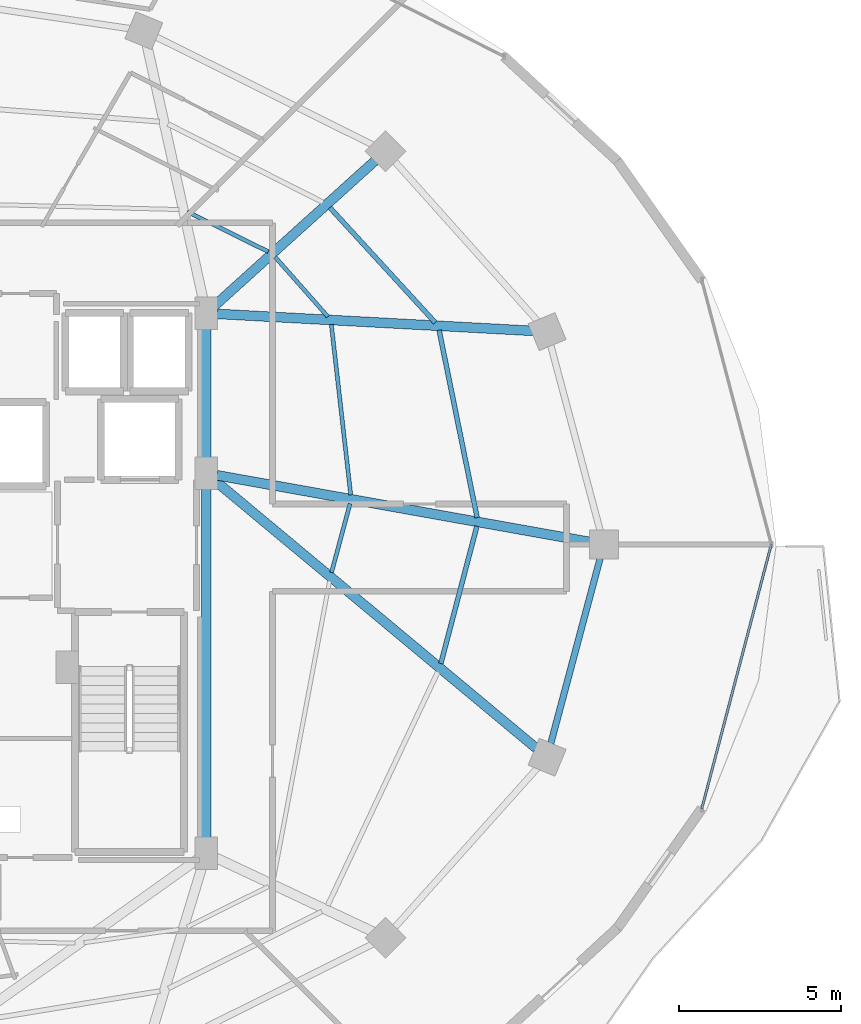
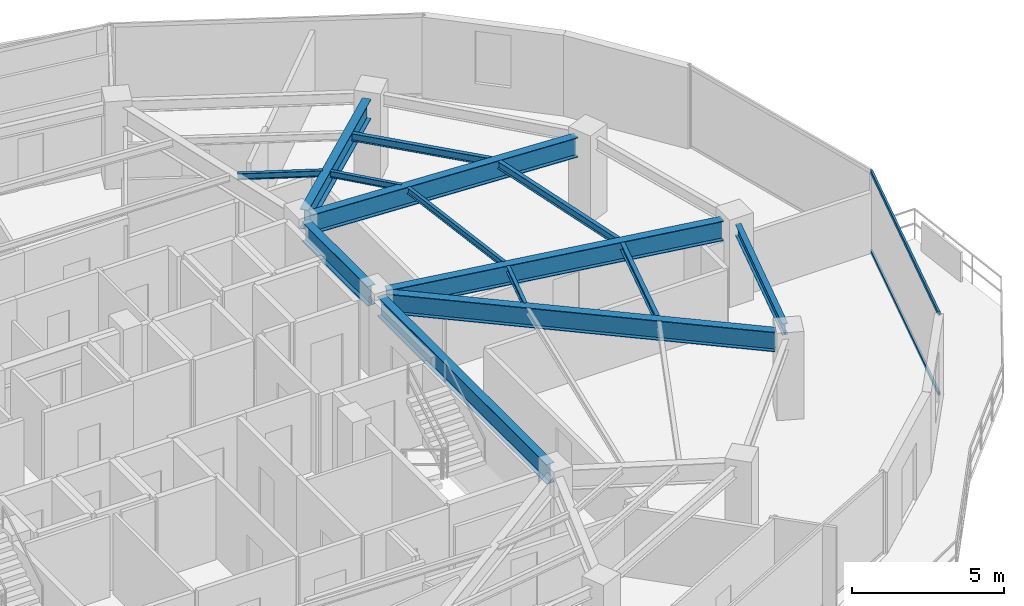
# One storey, part 14 of 33: 14 beams, 2 members, 1 element without a shape of its own.
"""IFC4 building model written with IfcOpenShell, lengths in metres."""

from ifc_helpers import new_model, si_unit, direction, frame, origin, origin_2d, place, context, subcontext, project, spatial, hollow_rectangle, i_section, extrude, material, material_profile, profile_set, type_object, element, aggregate, save


model = new_model("IFC4")

# Units and contexts
model_context = context("Model", 3, precision=1e-05, world=origin(), true_north=direction((0.0, 1.0)))
body_context = subcontext(model_context, "Body", "Model", "MODEL_VIEW")
ifc_project = project(units=[si_unit("LENGTHUNIT", "METRE"), si_unit("AREAUNIT", "SQUARE_METRE"), si_unit("VOLUMEUNIT", "CUBIC_METRE"), si_unit("PLANEANGLEUNIT", "RADIAN"), si_unit("MASSUNIT", "GRAM", prefix="KILO")], contexts=[model_context])

# Site, building, storey
site_placement = place(None, origin())
site = spatial("IfcSite", under=ifc_project, at=site_placement, CompositionType="ELEMENT")
building_placement = place(site_placement, origin())
building = spatial("IfcBuilding", under=site, at=building_placement, Name="Vorneva Point Tower", CompositionType="ELEMENT")
storey_placement = place(building_placement, frame((0.0, 0.0, 189.60009765625)))
storey = spatial("IfcBuildingStorey", under=building, at=storey_placement, Name="L51", CompositionType="ELEMENT", Elevation=189.60009765625)

# Beams
ifc_material_1 = material(Name="Steel S355", Category="steel")
ifc_material_profile_1 = material_profile(ifc_material_1, i_section(OverallWidth=0.300048828125, OverallDepth=0.7880859375, WebThickness=0.014404296875, FlangeThickness=0.02197265625, at=origin_2d()), Name="80Sh1")
ifc_profile_set_1 = profile_set([ifc_material_profile_1], Name="Steel S355")
beam_type_1 = type_object("IfcBeamType", Name="BM-GRD-80Sh1", PredefinedType="USERDEFINED", material=ifc_profile_set_1)
beam_1_placement = place(storey_placement, frame((60.618896484375, 26.0771484375, 2.845947265625), z_axis=(-0.984378602255, 0.176064668298, 0.0), x_axis=(-0.176064668298, -0.984378602255, 0.0)))
element("IfcBeam", 1, at=beam_1_placement, inside=storey, type_object=beam_type_1, Name="L51 Radial Primary Girder 01", ObjectType="GIRDER", PredefinedType="USERDEFINED", context=body_context, shape_type="SweptSolid", body=[
    extrude(i_section(OverallWidth=0.300048828125, OverallDepth=0.7880859375, WebThickness=0.014404296875, FlangeThickness=0.02197265625, at=origin_2d()), origin(), (0.0, 0.0, 1.0), 11.71728515625),
])
beam_2_placement = place(storey_placement, frame((58.85791015625, 32.605712890625, 2.845947265625), z_axis=(-0.998554028182, 0.053757351146, 0.0), x_axis=(-0.053757351146, -0.998554028182, 0.0)))
element("IfcBeam", 2, at=beam_2_placement, inside=storey, type_object=beam_type_1, Name="L51 Radial Primary Girder 02", ObjectType="GIRDER", PredefinedType="USERDEFINED", context=body_context, shape_type="SweptSolid", body=[
    extrude(i_section(OverallWidth=0.300048828125, OverallDepth=0.7880859375, WebThickness=0.014404296875, FlangeThickness=0.02197265625, at=origin_2d()), origin(), (0.0, 0.0, 1.0), 9.782470703125),
])
beam_3_placement = place(storey_placement, frame((53.973876953125, 37.86865234375, 2.845947265625), z_axis=(-0.742089778537, -0.670300500217, 0.0), x_axis=(0.670300500217, -0.742089778537, 0.0)))
element("IfcBeam", 3, at=beam_3_placement, inside=storey, type_object=beam_type_1, Name="L51 Radial Primary Girder 03", ObjectType="GIRDER", PredefinedType="USERDEFINED", context=body_context, shape_type="SweptSolid", body=[
    extrude(i_section(OverallWidth=0.300048828125, OverallDepth=0.7880859375, WebThickness=0.014404296875, FlangeThickness=0.02197265625, at=origin_2d()), origin(), (0.0, 0.0, 1.0), 6.699462890625),
])
beam_4_placement = place(storey_placement, frame((58.958740234375, 19.697998046875, 2.845947265625), z_axis=(-0.768417564517, 0.639948784311, 0.0), x_axis=(-0.639948784311, -0.768417564517, 0.0)))
element("IfcBeam", 4, at=beam_4_placement, inside=storey, type_object=beam_type_1, Name="L51 Radial Primary Girder 16", ObjectType="GIRDER", PredefinedType="USERDEFINED", context=body_context, shape_type="SweptSolid", body=[
    extrude(i_section(OverallWidth=0.300048828125, OverallDepth=0.7880859375, WebThickness=0.014404296875, FlangeThickness=0.02197265625, at=origin_2d()), origin(), (0.0, 0.0, 1.0), 12.945556640625),
])
beam_5_placement = place(storey_placement, frame((48.75, 16.77001953125, 2.845947265625), z_axis=(0.0, 1.0, 0.0), x_axis=(-1.0, 0.0, 0.0)))
element("IfcBeam", 5, at=beam_5_placement, inside=storey, type_object=beam_type_1, Name="L51 Core Tie Girder CT3", ObjectType="GIRDER", PredefinedType="USERDEFINED", context=body_context, shape_type="SweptSolid", body=[
    extrude(i_section(OverallWidth=0.300048828125, OverallDepth=0.7880859375, WebThickness=0.014404296875, FlangeThickness=0.02197265625, at=origin_2d()), origin(), (0.0, 0.0, 1.0), 11.10986328125),
])
beam_6_placement = place(storey_placement, frame((48.75, 28.52001953125, 2.845947265625), z_axis=(0.0, 1.0, 0.0), x_axis=(-1.0, 0.0, 0.0)))
element("IfcBeam", 6, at=beam_6_placement, inside=storey, type_object=beam_type_1, Name="L51 Core Tie Girder CT4", ObjectType="GIRDER", PredefinedType="USERDEFINED", context=body_context, shape_type="SweptSolid", body=[
    extrude(i_section(OverallWidth=0.300048828125, OverallDepth=0.7880859375, WebThickness=0.014404296875, FlangeThickness=0.02197265625, at=origin_2d()), origin(), (0.0, 0.0, 1.0), 4.31005859375),
])
ifc_material_profile_2 = material_profile(ifc_material_1, i_section(OverallWidth=0.1240234375, OverallDepth=0.248046875, WebThickness=0.0048828125, FlangeThickness=0.008056640625, at=origin_2d()), Name="25B1")
ifc_profile_set_2 = profile_set([ifc_material_profile_2], Name="Steel S355")
beam_type_2 = type_object("IfcBeamType", Name="BM-JST-25B1", PredefinedType="JOIST", material=ifc_profile_set_2)
beam_7_placement = place(storey_placement, frame((53.221435546875, 27.534423828125, 3.115966796875), z_axis=(-0.113032571733, 0.993591283037, 0.0), x_axis=(-0.993591283037, -0.113032571733, 0.0)))
element("IfcBeam", 7, at=beam_7_placement, inside=storey, type_object=beam_type_2, Name="L51 Secondary Floor Beam 2.01", PredefinedType="JOIST", context=body_context, shape_type="SweptSolid", body=[
    extrude(i_section(OverallWidth=0.1240234375, OverallDepth=0.248046875, WebThickness=0.0048828125, FlangeThickness=0.008056640625, at=origin_2d()), origin(), (0.0, 0.0, 1.0), 5.3046875),
])
beam_8_placement = place(storey_placement, frame((52.514892578125, 33.045654296875, 3.115966796875), z_axis=(-0.662362143704, 0.749183816288, 0.0), x_axis=(-0.749183816288, -0.662362143704, 0.0)))
element("IfcBeam", 8, at=beam_8_placement, inside=storey, type_object=beam_type_2, Name="L51 Secondary Floor Beam 2.02", PredefinedType="JOIST", context=body_context, shape_type="SweptSolid", body=[
    extrude(i_section(OverallWidth=0.1240234375, OverallDepth=0.248046875, WebThickness=0.0048828125, FlangeThickness=0.008056640625, at=origin_2d()), origin(), (0.0, 0.0, 1.0), 2.46337890625),
])
beam_9_placement = place(storey_placement, frame((50.66845703125, 35.055908203125, 3.115966796875), z_axis=(-0.896290822353, 0.443466753845, 0.0), x_axis=(-0.443466753845, -0.896290822353, 0.0)))
element("IfcBeam", 9, at=beam_9_placement, inside=storey, type_object=beam_type_2, Name="L51 Secondary Floor Beam 2.03", PredefinedType="JOIST", context=body_context, shape_type="SweptSolid", body=[
    extrude(i_section(OverallWidth=0.1240234375, OverallDepth=0.248046875, WebThickness=0.0048828125, FlangeThickness=0.008056640625, at=origin_2d()), origin(), (0.0, 0.0, 1.0), 2.791748046875),
])
beam_10_placement = place(storey_placement, frame((52.628173828125, 25.13330078125, 3.115966796875), z_axis=(0.259679836989, 0.965694766612, 0.0), x_axis=(-0.965694766612, 0.259679836989, 0.0)))
element("IfcBeam", 10, at=beam_10_placement, inside=storey, type_object=beam_type_2, Name="L51 Secondary Floor Beam 2.16", PredefinedType="JOIST", context=body_context, shape_type="SweptSolid", body=[
    extrude(i_section(OverallWidth=0.1240234375, OverallDepth=0.248046875, WebThickness=0.0048828125, FlangeThickness=0.008056640625, at=origin_2d()), origin(), (0.0, 0.0, 1.0), 2.20654296875),
])
ifc_material_profile_3 = material_profile(ifc_material_1, i_section(OverallWidth=0.14892578125, OverallDepth=0.298095703125, WebThickness=0.005615234375, FlangeThickness=0.008056640625, at=origin_2d()), Name="30B1")
ifc_profile_set_3 = profile_set([ifc_material_profile_3], Name="Steel S355")
beam_type_3 = type_object("IfcBeamType", Name="BM-JST-30B1", PredefinedType="JOIST", material=ifc_profile_set_3)
beam_11_placement = place(storey_placement, frame((57.131103515625, 26.831298828125, 3.0908203125), z_axis=(-0.198853680305, 0.980029190294, 0.0), x_axis=(-0.980029190294, -0.198853680305, 0.0)))
element("IfcBeam", 11, at=beam_11_placement, inside=storey, type_object=beam_type_3, Name="L51 Secondary Floor Beam 1.01", PredefinedType="JOIST", context=body_context, shape_type="SweptSolid", body=[
    extrude(i_section(OverallWidth=0.14892578125, OverallDepth=0.298095703125, WebThickness=0.005615234375, FlangeThickness=0.008056640625, at=origin_2d()), origin(), (0.0, 0.0, 1.0), 5.915283203125),
])
beam_12_placement = place(storey_placement, frame((55.834228515625, 32.865234375, 3.0908203125), z_axis=(-0.675759017991, 0.73712261504, 0.0), x_axis=(-0.73712261504, -0.675759017991, 0.0)))
element("IfcBeam", 12, at=beam_12_placement, inside=storey, type_object=beam_type_3, Name="L51 Secondary Floor Beam 1.02", PredefinedType="JOIST", context=body_context, shape_type="SweptSolid", body=[
    extrude(i_section(OverallWidth=0.14892578125, OverallDepth=0.298095703125, WebThickness=0.005615234375, FlangeThickness=0.008056640625, at=origin_2d()), origin(), (0.0, 0.0, 1.0), 4.822021484375),
])
beam_13_placement = place(storey_placement, frame((56.009521484375, 22.31689453125, 3.0908203125), z_axis=(0.253800559938, 0.967256571844, 0.0), x_axis=(-0.967256571844, 0.253800559938, 0.0)))
element("IfcBeam", 13, at=beam_13_placement, inside=storey, type_object=beam_type_3, Name="L51 Secondary Floor Beam 1.16", PredefinedType="JOIST", context=body_context, shape_type="SweptSolid", body=[
    extrude(i_section(OverallWidth=0.14892578125, OverallDepth=0.298095703125, WebThickness=0.005615234375, FlangeThickness=0.008056640625, at=origin_2d()), origin(), (0.0, 0.0, 1.0), 4.389404296875),
])
ifc_material_profile_4 = material_profile(ifc_material_1, i_section(OverallWidth=0.198974609375, OverallDepth=0.446044921875, WebThickness=0.008056640625, FlangeThickness=0.011962890625, at=origin_2d()), Name="45B1")
ifc_profile_set_4 = profile_set([ifc_material_profile_4], Name="Steel S355")
beam_type_4 = type_object("IfcBeamType", Name="BM-SPN-45B1", PredefinedType="SPANDREL", material=ifc_profile_set_4)
beam_14_placement = place(storey_placement, frame((59.407470703125, 19.838134765625, 3.016845703125), z_axis=(0.257578258003, 0.966257440336, 0.0), x_axis=(-0.966257440336, 0.257578258003, 0.0)))
element("IfcBeam", 14, at=beam_14_placement, inside=storey, type_object=beam_type_4, Name="L51 Perimeter Spandrel Ring Beam 16", PredefinedType="SPANDREL", context=body_context, shape_type="SweptSolid", body=[
    extrude(i_section(OverallWidth=0.198974609375, OverallDepth=0.446044921875, WebThickness=0.008056640625, FlangeThickness=0.011962890625, at=origin_2d()), origin(), (0.0, 0.0, 1.0), 5.94189453125),
])

# Curtain wall, members
ifc_material_2 = material(Name="Pale anodised aluminium", Category="aluminium")
curtain_wall_type = type_object("IfcCurtainWallType", Name="CW-RES-SYS", PredefinedType="NOTDEFINED", material=ifc_material_2)
curtain_wall_placement = place(storey_placement, origin())
curtain_wall = element("IfcCurtainWall", 15, at=curtain_wall_placement, inside=storey, type_object=curtain_wall_type, Name="L51 Unitised Curtain Wall CW-L51-R01", PredefinedType="NOTDEFINED")
ifc_material_profile_5 = material_profile(ifc_material_2, hollow_rectangle(XDim=0.074951171875, YDim=0.14990234375, WallThickness=0.00390625, at=origin_2d()), Name="AL-TRN 150x75x4")
ifc_profile_set_5 = profile_set([ifc_material_profile_5], Name="Pale anodised aluminium")
member_type = type_object("IfcMemberType", Name="CW-TRN-150", PredefinedType="USERDEFINED", material=ifc_profile_set_5)
member_1_placement = place(storey_placement, frame((64.0810546875, 17.82958984375, 0.02001953125), z_axis=(0.254362431281, 0.967108966742, 0.0), x_axis=(-0.967108966742, 0.254362431281, 0.0)))
member_1 = element("IfcMember", 16, at=member_1_placement, type_object=member_type, Name="CW-L51-R01 Transom 01.1", ObjectType="TRANSOM", PredefinedType="USERDEFINED", context=body_context, shape_type="SweptSolid", body=[
    extrude(hollow_rectangle(XDim=0.074951171875, YDim=0.14990234375, WallThickness=0.00390625, at=origin_2d()), origin(), (0.0, 0.0, 1.0), 8.4482421875),
])
member_2_placement = place(storey_placement, frame((64.0810546875, 17.82958984375, 3.219970703125), z_axis=(0.254362431281, 0.967108966742, 0.0), x_axis=(-0.967108966742, 0.254362431281, 0.0)))
member_2 = element("IfcMember", 17, at=member_2_placement, type_object=member_type, Name="CW-L51-R01 Transom 01.2", ObjectType="TRANSOM", PredefinedType="USERDEFINED", context=body_context, shape_type="SweptSolid", body=[
    extrude(hollow_rectangle(XDim=0.074951171875, YDim=0.14990234375, WallThickness=0.00390625, at=origin_2d()), origin(), (0.0, 0.0, 1.0), 8.4482421875),
])
aggregate(curtain_wall, [member_1, member_2])

save(model, "model.ifc")
